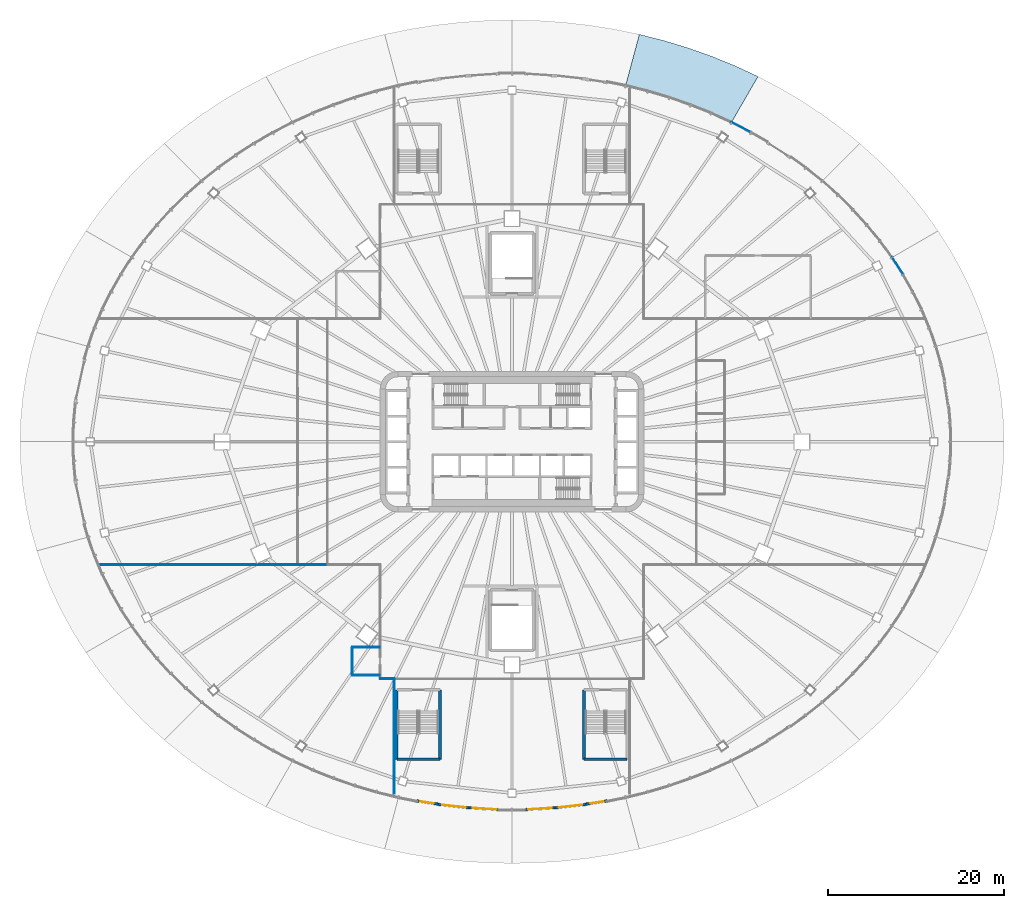
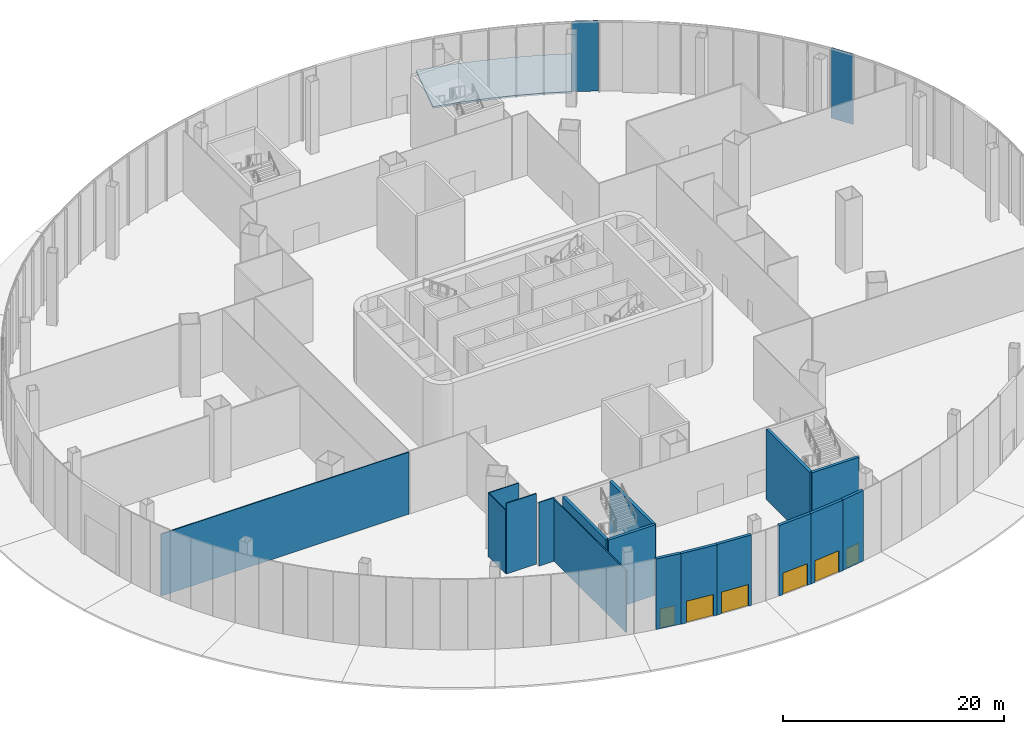
# One storey, part 15 of 36: 17 walls, 6 doors, 2 plates, 1 slab, 6 openings, 2 elements without a shape of their own.
"""IFC4 building model written with IfcOpenShell, lengths in metres."""

import ifcopenshell
import ifcopenshell.guid

model = None  # the IFC model being written
_history = None  # IfcOwnerHistory: only IFC2X3 demands one
_inside = {}  # id of a spatial element -> (the spatial element, [elements in it])
_under = {}  # id of a project, library or spatial element -> (it, [spatial elements below it])
_declared = {}  # id of a project -> (the project, [libraries it declares])
_typed = {}  # id of a type object -> (the type object, [elements of that type])
_made_of = {}  # id of a material, layer set ... -> (it, [elements and type objects made of it])


def new_model(schema):
    """Start an empty IFC model of exactly this schema.

    Asked for "IFC4X3", IfcOpenShell would pick the latest addendum, in which some entities
    have other attributes; the version numbers below select the first issue.
    IFC2X3 requires an IfcOwnerHistory on every rooted entity: one is made here for all.
    """
    global model, _history
    if schema == "IFC4X3":
        model = ifcopenshell.file(schema_version=(4, 3, 0, 0))
    else:
        model = ifcopenshell.file(schema=schema)
    _inside.clear()
    _under.clear()
    _declared.clear()
    _typed.clear()
    _made_of.clear()
    _history = None
    if model.schema == "IFC2X3":
        org = make("IfcOrganization", Name="unknown")
        user = make(
            "IfcPersonAndOrganization",
            ThePerson=make("IfcPerson", FamilyName="unknown"),
            TheOrganization=org,
        )
        app = make(
            "IfcApplication",
            ApplicationDeveloper=org,
            Version="unknown",
            ApplicationFullName="unknown",
            ApplicationIdentifier="unknown",
        )
        _history = make(
            "IfcOwnerHistory",
            OwningUser=user,
            OwningApplication=app,
            ChangeAction="ADDED",
            CreationDate=0,
        )
    return model


def make(cls, **values):
    """One entity of the class cls with the attributes given. An attribute that is None is left unset."""
    return model.create_entity(
        cls, **{name: value for name, value in values.items() if value is not None}
    )


def rooted(cls, **values):
    """An entity with a GlobalId (a new one), such as an element, a storey or a relation."""
    return make(cls, GlobalId=ifcopenshell.guid.new(), OwnerHistory=_history, **values)


def si_unit(unit_type, name, prefix=None):
    """IfcSIUnit, for example si_unit("LENGTHUNIT", "METRE", prefix="MILLI")."""
    return make("IfcSIUnit", UnitType=unit_type, Prefix=prefix, Name=name)


def assignment(units):
    """IfcUnitAssignment: the units of a project."""
    return None if units is None else make("IfcUnitAssignment", Units=units)


def point(xyz):
    """IfcCartesianPoint."""
    return None if xyz is None else make("IfcCartesianPoint", Coordinates=xyz)


def direction(xyz):
    """IfcDirection."""
    return None if xyz is None else make("IfcDirection", DirectionRatios=xyz)


def frame(location, z_axis=None, x_axis=None):
    """IfcAxis2Placement3D, a coordinate frame: its origin and axes. An axis left out is left unset."""
    return make(
        "IfcAxis2Placement3D",
        Location=point(location),
        Axis=direction(z_axis),
        RefDirection=direction(x_axis),
    )


def frame_2d(location, x_axis=None):
    """IfcAxis2Placement2D, a coordinate frame in the plane: its origin and x axis."""
    return make(
        "IfcAxis2Placement2D", Location=point(location), RefDirection=direction(x_axis)
    )


def origin():
    """The frame at (0, 0, 0) with its axes left unset."""
    return frame((0.0, 0.0, 0.0))


def place(relative_to, where):
    """IfcLocalPlacement: puts the frame where relative to a parent placement (None: the world)."""
    return make(
        "IfcLocalPlacement", PlacementRelTo=relative_to, RelativePlacement=where
    )


def context(
    kind, dimensions, precision=None, world=None, true_north=None, identifier=None
):
    """IfcGeometricRepresentationContext, for example the 3D "Model" context."""
    return make(
        "IfcGeometricRepresentationContext",
        ContextIdentifier=identifier,
        ContextType=kind,
        CoordinateSpaceDimension=dimensions,
        Precision=precision,
        WorldCoordinateSystem=world,
        TrueNorth=true_north,
    )


def subcontext(parent, identifier, kind, view, scale=None):
    """IfcGeometricRepresentationSubContext, for example "Body" below "Model"."""
    return make(
        "IfcGeometricRepresentationSubContext",
        ContextIdentifier=identifier,
        ContextType=kind,
        ParentContext=parent,
        TargetScale=scale,
        TargetView=view,
    )


def project(units=None, contexts=None):
    """IfcProject with its units and contexts."""
    return rooted(
        "IfcProject",
        Name="project",
        RepresentationContexts=contexts,
        UnitsInContext=assignment(units),
    )


def spatial(cls, under=None, at=None, **own):
    """A site, building, storey or space (cls), placed at a placement, below another one or the project."""
    s = rooted(cls, ObjectPlacement=at, **own)
    if under is not None:
        _under.setdefault(under.id(), (under, []))[1].append(s)
    return s


def polyline(points):
    """IfcPolyline through the points."""
    return make("IfcPolyline", Points=[point(p) for p in points])


def profile(cls, at=None, kind="AREA", **sizes):
    """A parametric profile (cls). Its sizes go by their IFC names, for example OverallWidth=200.0."""
    return make(cls, ProfileType=kind, Position=at, **sizes)


def rectangle(**sizes):
    """IfcRectangleProfileDef."""
    return profile("IfcRectangleProfileDef", **sizes)


def outline(outer, holes=None, kind="AREA"):
    """IfcArbitraryClosedProfileDef: a profile drawn as a closed curve; with holes, ...WithVoids."""
    if holes is None:
        return make("IfcArbitraryClosedProfileDef", ProfileType=kind, OuterCurve=outer)
    return make(
        "IfcArbitraryProfileDefWithVoids",
        ProfileType=kind,
        OuterCurve=outer,
        InnerCurves=holes,
    )


def extrude(swept, where, along, depth):
    """IfcExtrudedAreaSolid: the profile swept, set in the frame where, extruded along a direction by depth."""
    return make(
        "IfcExtrudedAreaSolid",
        SweptArea=swept,
        Position=where,
        ExtrudedDirection=direction(along),
        Depth=depth,
    )


def shape(context_of_items, identifier, shape_type, items):
    """IfcShapeRepresentation: the items that make up one representation, for example the "Body"."""
    return make(
        "IfcShapeRepresentation",
        ContextOfItems=context_of_items,
        RepresentationIdentifier=identifier,
        RepresentationType=shape_type,
        Items=items,
    )


def material(Name=None, Category=None):
    """IfcMaterial."""
    return make("IfcMaterial", Name=Name, Category=Category)


def layer(
    of_material, thickness, ventilated=None, Name=None, Category=None, Priority=None
):
    """IfcMaterialLayer: one layer of a wall or slab, of a material (None: an air gap)."""
    return make(
        "IfcMaterialLayer",
        Material=of_material,
        LayerThickness=thickness,
        IsVentilated=ventilated,
        Name=Name,
        Category=Category,
        Priority=Priority,
    )


def layer_set(layers, Name=None):
    """IfcMaterialLayerSet."""
    return make("IfcMaterialLayerSet", MaterialLayers=layers, LayerSetName=Name)


def made_of(thing, what):
    """Note that an element or type object is made of a material, layer set ...; save() writes the relation."""
    if what is not None:
        _made_of.setdefault(what.id(), (what, []))[1].append(thing)
    return thing


def type_object(cls, material=None, **own):
    """A type object (cls), such as IfcWallType, which elements share."""
    return made_of(rooted(cls, **own), material)


def element(
    cls,
    number,
    at=None,
    inside=None,
    cuts=None,
    type_object=None,
    material=None,
    context=None,
    identifier="Body",
    shape_type=None,
    held_by="IfcProductDefinitionShape",
    body=None,
    shapes=None,
    **own,
):
    """One element of the class cls, such as IfcWall. Its Tag is "e" and its number.

    at: its placement. inside: the storey or other place that contains it. cuts: it is an
    opening in that element (IfcRelVoidsElement). A single representation is given by context,
    identifier, shape_type and body (its items); several are given by shapes. held_by: the class
    of the entity that holds the representations. save() writes the other relations.
    """
    e = rooted(cls, Tag="e%d" % number, ObjectPlacement=at, **own)
    if body is not None:
        shapes = [shape(context, identifier, shape_type, body)]
    if shapes is not None:
        e.Representation = make(held_by, Representations=shapes)
    if inside is not None:
        _inside.setdefault(inside.id(), (inside, []))[1].append(e)
    if cuts is not None:
        rooted(
            "IfcRelVoidsElement", RelatingBuildingElement=cuts, RelatedOpeningElement=e
        )
    if type_object is not None:
        _typed.setdefault(type_object.id(), (type_object, []))[1].append(e)
    return made_of(e, material)


def fill(opening, filler):
    """IfcRelFillsElement: the door or window that sits in an opening."""
    return rooted(
        "IfcRelFillsElement",
        RelatingOpeningElement=opening,
        RelatedBuildingElement=filler,
    )


def aggregate(whole, parts):
    """IfcRelAggregates: a whole, such as a stair, and the parts it consists of."""
    return rooted("IfcRelAggregates", RelatingObject=whole, RelatedObjects=parts)


def save(model, path):
    """Write the relations noted so far, then the file.

    IfcRelAggregates (storeys below a building ...), IfcRelContainedInSpatialStructure (elements
    in a storey), IfcRelDefinesByType, IfcRelAssociatesMaterial and IfcRelDeclares: one each for
    every whole, place, type object, material and project.
    """
    for whole, parts in _under.values():
        aggregate(whole, parts)
    for where, things in _inside.values():
        rooted(
            "IfcRelContainedInSpatialStructure",
            RelatedElements=things,
            RelatingStructure=where,
        )
    for kind, things in _typed.values():
        rooted("IfcRelDefinesByType", RelatedObjects=things, RelatingType=kind)
    for what, things in _made_of.values():
        rooted("IfcRelAssociatesMaterial", RelatedObjects=things, RelatingMaterial=what)
    for by, libraries in _declared.values():
        rooted("IfcRelDeclares", RelatingContext=by, RelatedDefinitions=libraries)
    model.write(path)


model = new_model("IFC4")

# Units and contexts
model_context = context("Model", 3, precision=1e-05, world=origin(), true_north=direction((0.0, 1.0)))
body_context = subcontext(model_context, "Body", "Model", "MODEL_VIEW")
ifc_project = project(units=[si_unit("LENGTHUNIT", "METRE"), si_unit("AREAUNIT", "SQUARE_METRE"), si_unit("VOLUMEUNIT", "CUBIC_METRE"), si_unit("PLANEANGLEUNIT", "RADIAN"), si_unit("MASSUNIT", "GRAM", prefix="KILO")], contexts=[model_context])

# Site, building, storey
site_placement = place(None, origin())
site = spatial("IfcSite", under=ifc_project, at=site_placement, CompositionType="ELEMENT")
building_placement = place(site_placement, origin())
building = spatial("IfcBuilding", under=site, at=building_placement, Name="Sahrelin Media Tower", CompositionType="ELEMENT")
storey_placement = place(building_placement, origin())
storey = spatial("IfcBuildingStorey", under=building, at=storey_placement, Name="L00", CompositionType="ELEMENT", Elevation=0.0)

# Curtain wall, plate
ifc_material_1 = material(Name="Champagne anodised aluminium 6063-T6", Category="aluminium")
ifc_layer_1 = layer(ifc_material_1, 0.14990234375)
ifc_layer_set_1 = layer_set([ifc_layer_1], Name="Concourse curtain wall")
curtain_wall_type = type_object("IfcCurtainWallType", Name="Concourse curtain wall", PredefinedType="NOTDEFINED", material=ifc_layer_set_1)
curtain_wall_1_placement = place(storey_placement, frame((48.29638671875, 10.870361328125, 0.0), z_axis=(0.0, 0.0, 1.0), x_axis=(1.0, 0.0, 0.0)))
curtain_wall_1 = element("IfcCurtainWall", 1, at=curtain_wall_1_placement, inside=storey, type_object=curtain_wall_type, Name="L00:CW:L00-P01", PredefinedType="NOTDEFINED")
ifc_material_2 = material(Name="Clear low-iron glazing", Category="glass")
ifc_layer_2 = layer(ifc_material_2, 0.06005859375)
ifc_layer_set_2 = layer_set([ifc_layer_2], Name="Glazing panel 60 mm CW4")
plate_type = type_object("IfcPlateType", Name="Glazing panel 60 mm CW4", PredefinedType="CURTAIN_PANEL", material=ifc_layer_set_2)
plate_1_placement = place(storey_placement, frame((44.534423828125, 19.12890625, 0.0), z_axis=(0.839876936487, 0.542776870875, 0.0), x_axis=(-0.542776870875, 0.839876936487, 0.0)))
plate_1 = element("IfcPlate", 2, at=plate_1_placement, type_object=plate_type, Name="L00:CWP5a:L00-P01", PredefinedType="CURTAIN_PANEL", context=body_context, shape_type="SweptSolid", body=[
    extrude(outline(polyline([(0.0, 0.0), (2.240966796875, 0.0), (2.240966796875, 7.800048828125), (0.0, 7.800048828125), (0.0, 0.0)])), origin(), (0.0, 0.0, -1.0), 0.06005859375),
])
aggregate(curtain_wall_1, [plate_1])

curtain_wall_2_placement = place(storey_placement, frame((29.07568359375, 34.159912109375, 0.0), z_axis=(0.0, 0.0, 1.0), x_axis=(1.0, 0.0, 0.0)))
curtain_wall_2 = element("IfcCurtainWall", 3, at=curtain_wall_2_placement, inside=storey, type_object=curtain_wall_type, Name="L00:CW2:L00-P03", PredefinedType="NOTDEFINED")
plate_2_placement = place(storey_placement, frame((27.187744140625, 35.269287109375, 0.0), z_axis=(0.457744209819, 0.889083932133, 0.0), x_axis=(-0.889083932133, 0.457744209819, 0.0)))
plate_2 = element("IfcPlate", 4, at=plate_2_placement, type_object=plate_type, Name="L00:CWP5a:L00-P03", PredefinedType="CURTAIN_PANEL", context=body_context, shape_type="SweptSolid", body=[
    extrude(outline(polyline([(0.0, 0.0), (2.4501953125, 0.0), (2.4501953125, 7.800048828125), (0.0, 7.800048828125), (0.0, 0.0)])), origin(), (0.0, 0.0, -1.0), 0.06005859375),
])
aggregate(curtain_wall_2, [plate_2])

# Slab
ifc_material_3 = material(Name="Concrete C32/40", Category="concrete")
ifc_layer_3 = layer(ifc_material_3, 0.199951171875)
ifc_layer_set_3 = layer_set([ifc_layer_3], Name="Plaza paving slab")
slab_type = type_object("IfcSlabType", Name="Plaza paving slab", PredefinedType="USERDEFINED", material=ifc_layer_set_3)
slab_placement = place(storey_placement, frame((0.0, 0.0, -0.199951171875)))
element("IfcSlab", 5, at=slab_placement, inside=storey, type_object=slab_type, Name="Plaza PAVING 5", ObjectType="PAVING", PredefinedType="USERDEFINED", context=body_context, shape_type="SweptSolid", body=[
    extrude(outline(polyline([(25.0, 36.373046875), (22.699462890625, 37.42236328125), (20.3369140625, 38.368896484375), (17.91845703125, 39.21044921875), (15.45068359375, 39.9443359375), (12.94091796875, 40.56884765625), (14.493896484375, 46.364501953125), (17.304931640625, 45.650634765625), (20.068603515625, 44.81201171875), (22.777099609375, 43.85009765625), (25.42333984375, 42.768310546875), (28.0, 41.5693359375), (25.0, 36.373046875)])), origin(), (0.0, 0.0, 1.0), 0.199951171875),
])

# Wall, opening, door
ifc_material_4 = material(Name="Concrete C40/50", Category="concrete")
ifc_layer_4 = layer(ifc_material_4, 0.300048828125)
ifc_layer_set_4 = layer_set([ifc_layer_4], Name="Entrance pier wall")
wall_type_1 = type_object("IfcWallType", Name="Entrance pier wall", PredefinedType="SOLIDWALL", material=ifc_layer_set_4)
wall_1_placement = place(storey_placement, frame((-8.43359375, -41.2783203125, 0.0), z_axis=(0.0, 0.0, 1.0), x_axis=(0.993937913469, -0.109942822269, 0.0)))
wall_1 = element("IfcWall", 6, at=wall_1_placement, inside=storey, type_object=wall_type_1, Name="Entrance pier wall E5", PredefinedType="SOLIDWALL", context=body_context, shape_type="SweptSolid", body=[
    extrude(rectangle(XDim=3.56396484375, YDim=0.300048828125, at=frame_2d((1.781982421875, 0.0))), origin(), (0.0, 0.0, 1.0), 7.800048828125),
])
opening_1_placement = place(wall_1_placement, frame((0.511474609375, 0.0, 0.0)))
opening_1 = element("IfcOpeningElement", 7, at=opening_1_placement, cuts=wall_1, Name="Opening L00-D65", PredefinedType="OPENING", context=body_context, shape_type="SweptSolid", body=[
    extrude(rectangle(XDim=2.699951171875, YDim=2.39990234375, at=frame_2d((1.35009765625, 1.199951171875))), frame((0.0, 0.14990234375, 0.0), z_axis=(0.0, -1.0, 0.0), x_axis=(1.0, 0.0, 0.0)), (0.0, 0.0, 1.0), 0.300048828125),
])
door_type_1 = type_object("IfcDoorType", Name="Entrance door, automatic double 2700x2400", OperationType="DOUBLE_DOOR_SLIDING", PredefinedType="DOOR", material=ifc_material_1)
door_1_placement = place(opening_1_placement, origin())
door_1 = element("IfcDoor", 8, at=door_1_placement, inside=storey, type_object=door_type_1, Name="L00:DOOR:E5", OperationType="DOUBLE_DOOR_SLIDING", OverallHeight=2.39990234375, OverallWidth=2.699951171875, PredefinedType="DOOR", context=body_context, shape_type="SweptSolid", body=[
    extrude(rectangle(XDim=2.699951171875, YDim=2.39990234375, at=frame_2d((1.35009765625, 1.199951171875))), frame((0.0, 0.02490234375, 0.0), z_axis=(0.0, -1.0, 0.0), x_axis=(1.0, 0.0, 0.0)), (0.0, 0.0, 1.0), 0.050048828125),
])
fill(opening_1, door_1)

wall_2_placement = place(storey_placement, frame((-4.889404296875, -41.652099609375, 0.0), z_axis=(0.0, 0.0, 1.0), x_axis=(0.997821919581, -0.065965269678, 0.0)))
wall_2 = element("IfcWall", 9, at=wall_2_placement, inside=storey, type_object=wall_type_1, Name="Entrance pier wall E6", PredefinedType="SOLIDWALL", context=body_context, shape_type="SweptSolid", body=[
    extrude(rectangle(XDim=3.453125, YDim=0.300048828125, at=frame_2d((1.7265625, 0.0))), origin(), (0.0, 0.0, 1.0), 7.800048828125),
])
opening_2_placement = place(wall_2_placement, frame((0.447021484375, 0.0, 0.0)))
opening_2 = element("IfcOpeningElement", 10, at=opening_2_placement, cuts=wall_2, Name="Opening L00-D66", PredefinedType="OPENING", context=body_context, shape_type="SweptSolid", body=[
    extrude(rectangle(XDim=2.699951171875, YDim=2.39990234375, at=frame_2d((1.35009765625, 1.199951171875))), frame((0.0, 0.14990234375, 0.0), z_axis=(0.0, -1.0, 0.0), x_axis=(1.0, 0.0, 0.0)), (0.0, 0.0, 1.0), 0.300048828125),
])
door_2_placement = place(opening_2_placement, origin())
door_2 = element("IfcDoor", 11, at=door_2_placement, inside=storey, type_object=door_type_1, Name="L00:DOOR:E6", OperationType="DOUBLE_DOOR_SLIDING", OverallHeight=2.39990234375, OverallWidth=2.699951171875, PredefinedType="DOOR", context=body_context, shape_type="SweptSolid", body=[
    extrude(rectangle(XDim=2.699951171875, YDim=2.39990234375, at=frame_2d((1.35009765625, 1.199951171875))), frame((0.0, 0.02490234375, 0.0), z_axis=(0.0, -1.0, 0.0), x_axis=(1.0, 0.0, 0.0)), (0.0, 0.0, 1.0), 0.050048828125),
])
fill(opening_2, door_2)

wall_3_placement = place(storey_placement, frame((1.44384765625, -41.8798828125, 0.0), z_axis=(0.0, 0.0, 1.0), x_axis=(0.997821919581, 0.065965269678, 0.0)))
wall_3 = element("IfcWall", 12, at=wall_3_placement, inside=storey, type_object=wall_type_1, Name="Entrance pier wall E7", PredefinedType="SOLIDWALL", context=body_context, shape_type="SweptSolid", body=[
    extrude(rectangle(XDim=3.453125, YDim=0.300048828125, at=frame_2d((1.7265625, 0.0))), origin(), (0.0, 0.0, 1.0), 7.800048828125),
])
opening_3_placement = place(wall_3_placement, frame((0.39990234375, 0.0, 0.0)))
opening_3 = element("IfcOpeningElement", 13, at=opening_3_placement, cuts=wall_3, Name="Opening L00-D67", PredefinedType="OPENING", context=body_context, shape_type="SweptSolid", body=[
    extrude(rectangle(XDim=2.699951171875, YDim=2.39990234375, at=frame_2d((1.35009765625, 1.199951171875))), frame((0.0, 0.14990234375, 0.0), z_axis=(0.0, -1.0, 0.0), x_axis=(1.0, 0.0, 0.0)), (0.0, 0.0, 1.0), 0.300048828125),
])
door_3_placement = place(opening_3_placement, origin())
door_3 = element("IfcDoor", 14, at=door_3_placement, inside=storey, type_object=door_type_1, Name="L00:DOOR:E7", OperationType="DOUBLE_DOOR_SLIDING", OverallHeight=2.39990234375, OverallWidth=2.699951171875, PredefinedType="DOOR", context=body_context, shape_type="SweptSolid", body=[
    extrude(rectangle(XDim=2.699951171875, YDim=2.39990234375, at=frame_2d((1.35009765625, 1.199951171875))), frame((0.0, 0.02490234375, 0.0), z_axis=(0.0, -1.0, 0.0), x_axis=(1.0, 0.0, 0.0)), (0.0, 0.0, 1.0), 0.050048828125),
])
fill(opening_3, door_3)

wall_4_placement = place(storey_placement, frame((4.89111328125, -41.670166015625, 0.0), z_axis=(0.0, 0.0, 1.0), x_axis=(0.993937913469, 0.109942822269, 0.0)))
wall_4 = element("IfcWall", 15, at=wall_4_placement, inside=storey, type_object=wall_type_1, Name="Entrance pier wall E8", PredefinedType="SOLIDWALL", context=body_context, shape_type="SweptSolid", body=[
    extrude(rectangle(XDim=3.56396484375, YDim=0.300048828125, at=frame_2d((1.781982421875, 0.0))), origin(), (0.0, 0.0, 1.0), 7.800048828125),
])
opening_4_placement = place(wall_4_placement, frame((0.447265625, 0.0, 0.0)))
opening_4 = element("IfcOpeningElement", 16, at=opening_4_placement, cuts=wall_4, Name="Opening L00-D68", PredefinedType="OPENING", context=body_context, shape_type="SweptSolid", body=[
    extrude(rectangle(XDim=2.699951171875, YDim=2.39990234375, at=frame_2d((1.35009765625, 1.199951171875))), frame((0.0, 0.14990234375, 0.0), z_axis=(0.0, -1.0, 0.0), x_axis=(1.0, 0.0, 0.0)), (0.0, 0.0, 1.0), 0.300048828125),
])
door_4_placement = place(opening_4_placement, origin())
door_4 = element("IfcDoor", 17, at=door_4_placement, inside=storey, type_object=door_type_1, Name="L00:DOOR:E8", OperationType="DOUBLE_DOOR_SLIDING", OverallHeight=2.39990234375, OverallWidth=2.699951171875, PredefinedType="DOOR", context=body_context, shape_type="SweptSolid", body=[
    extrude(rectangle(XDim=2.699951171875, YDim=2.39990234375, at=frame_2d((1.35009765625, 1.199951171875))), frame((0.0, 0.02490234375, 0.0), z_axis=(0.0, -1.0, 0.0), x_axis=(1.0, 0.0, 0.0)), (0.0, 0.0, 1.0), 0.050048828125),
])
fill(opening_4, door_4)

wall_5_placement = place(storey_placement, frame((-8.4296875, -41.248046875, 0.0), z_axis=(0.0, 0.0, 1.0), x_axis=(-0.988096306645, 0.153836565205, 0.0)))
wall_5 = element("IfcWall", 18, at=wall_5_placement, inside=storey, type_object=wall_type_1, Name="Entrance pier wall E11", PredefinedType="SOLIDWALL", context=body_context, shape_type="SweptSolid", body=[
    extrude(rectangle(XDim=2.412353515625, YDim=0.300048828125, at=frame_2d((1.2060546875, 0.0))), origin(), (0.0, 0.0, 1.0), 7.800048828125),
])
opening_5_placement = place(wall_5_placement, frame((0.51220703125, 0.0, 0.0)))
opening_5 = element("IfcOpeningElement", 19, at=opening_5_placement, cuts=wall_5, Name="Opening L00-D71", PredefinedType="OPENING", context=body_context, shape_type="SweptSolid", body=[
    extrude(rectangle(XDim=1.5, YDim=2.10009765625, at=frame_2d((0.75, 1.050048828125))), frame((0.0, 0.14990234375, 0.0), z_axis=(0.0, -1.0, 0.0), x_axis=(1.0, 0.0, 0.0)), (0.0, 0.0, 1.0), 0.300048828125),
])
door_type_2 = type_object("IfcDoorType", Name="Stair discharge door 1500x2100", OperationType="SINGLE_SWING_RIGHT", PredefinedType="DOOR", material=ifc_material_1)
door_5_placement = place(opening_5_placement, origin())
door_5 = element("IfcDoor", 20, at=door_5_placement, inside=storey, type_object=door_type_2, Name="L00:DOOR:E11", OperationType="SINGLE_SWING_RIGHT", OverallHeight=2.10009765625, OverallWidth=1.5, PredefinedType="DOOR", context=body_context, shape_type="SweptSolid", body=[
    extrude(rectangle(XDim=1.5, YDim=2.10009765625, at=frame_2d((0.75, 1.050048828125))), frame((0.0, 0.02490234375, 0.0), z_axis=(0.0, -1.0, 0.0), x_axis=(1.0, 0.0, 0.0)), (0.0, 0.0, 1.0), 0.050048828125),
])
fill(opening_5, door_5)

wall_6_placement = place(storey_placement, frame((10.813232421875, -40.876953125, 0.0), z_axis=(0.0, 0.0, 1.0), x_axis=(-0.988096306645, -0.153836565205, 0.0)))
wall_6 = element("IfcWall", 21, at=wall_6_placement, inside=storey, type_object=wall_type_1, Name="Entrance pier wall E12", PredefinedType="SOLIDWALL", context=body_context, shape_type="SweptSolid", body=[
    extrude(rectangle(XDim=2.412353515625, YDim=0.300048828125, at=frame_2d((1.2060546875, 0.0))), origin(), (0.0, 0.0, 1.0), 7.800048828125),
])
opening_6_placement = place(wall_6_placement, frame((0.39990234375, 0.0, 0.0)))
opening_6 = element("IfcOpeningElement", 22, at=opening_6_placement, cuts=wall_6, Name="Opening L00-D72", PredefinedType="OPENING", context=body_context, shape_type="SweptSolid", body=[
    extrude(rectangle(XDim=1.5, YDim=2.10009765625, at=frame_2d((0.75, 1.050048828125))), frame((0.0, 0.14990234375, 0.0), z_axis=(0.0, -1.0, 0.0), x_axis=(1.0, 0.0, 0.0)), (0.0, 0.0, 1.0), 0.300048828125),
])
door_6_placement = place(opening_6_placement, origin())
door_6 = element("IfcDoor", 23, at=door_6_placement, inside=storey, type_object=door_type_2, Name="L00:DOOR:E12", OperationType="SINGLE_SWING_RIGHT", OverallHeight=2.10009765625, OverallWidth=1.5, PredefinedType="DOOR", context=body_context, shape_type="SweptSolid", body=[
    extrude(rectangle(XDim=1.5, YDim=2.10009765625, at=frame_2d((0.75, 1.050048828125))), frame((0.0, 0.02490234375, 0.0), z_axis=(0.0, -1.0, 0.0), x_axis=(1.0, 0.0, 0.0)), (0.0, 0.0, 1.0), 0.050048828125),
])
fill(opening_6, door_6)

# Walls
ifc_material_5 = material(Name="Gypsum board partition")
ifc_layer_5 = layer(ifc_material_5, 0.10009765625)
ifc_layer_set_5 = layer_set([ifc_layer_5], Name="Partition 100")
wall_type_2 = type_object("IfcWallType", Name="Partition 100", PredefinedType="PARTITIONING", material=ifc_layer_set_5)
wall_7_placement = place(storey_placement, frame((-15.0, -27.0, 0.0), z_axis=(0.0, 0.0, 1.0), x_axis=(1.0, 0.0, 0.0)))
element("IfcWall", 24, at=wall_7_placement, inside=storey, type_object=wall_type_2, Name="Wall", PredefinedType="PARTITIONING", context=body_context, shape_type="SweptSolid", body=[
    extrude(rectangle(XDim=1.60009765625, YDim=0.10009765625, at=frame_2d((0.800048828125, 0.0))), origin(), (0.0, 0.0, 1.0), 7.02587890625),
])
wall_8_placement = place(storey_placement, frame((-13.39990234375, -27.0, 0.0), z_axis=(0.0, 0.0, 1.0), x_axis=(0.0, -1.0, 0.0)))
element("IfcWall", 25, at=wall_8_placement, inside=storey, type_object=wall_type_2, Name="Wall", PredefinedType="PARTITIONING", context=body_context, shape_type="SweptSolid", body=[
    extrude(rectangle(XDim=13.093994140625, YDim=0.10009765625, at=frame_2d((6.546875, 0.0))), origin(), (0.0, 0.0, 1.0), 6.876953125),
])
wall_9_placement = place(storey_placement, frame((-21.12060546875, -14.0, 0.0), z_axis=(0.0, 0.0, 1.0), x_axis=(-1.0, 0.0, 0.0)))
element("IfcWall", 26, at=wall_9_placement, inside=storey, type_object=wall_type_2, Name="Wall", PredefinedType="PARTITIONING", context=body_context, shape_type="SweptSolid", body=[
    extrude(rectangle(XDim=25.89990234375, YDim=0.10009765625, at=frame_2d((12.949951171875, 0.0))), origin(), (0.0, 0.0, 1.0), 6.8681640625),
])
wall_10_placement = place(storey_placement, frame((-18.199951171875, -26.60009765625, 0.0), z_axis=(0.0, 0.0, 1.0), x_axis=(1.0, 0.0, 0.0)))
element("IfcWall", 27, at=wall_10_placement, inside=storey, type_object=wall_type_2, Name="Wall", PredefinedType="PARTITIONING", context=body_context, shape_type="SweptSolid", body=[
    extrude(rectangle(XDim=3.14990234375, YDim=0.10009765625, at=frame_2d((1.574951171875, 0.0))), origin(), (0.0, 0.0, 1.0), 7.800048828125),
])
wall_11_placement = place(storey_placement, frame((-18.199951171875, -23.39990234375, 0.0), z_axis=(0.0, 0.0, 1.0), x_axis=(1.0, 0.0, 0.0)))
element("IfcWall", 28, at=wall_11_placement, inside=storey, type_object=wall_type_2, Name="Wall", PredefinedType="PARTITIONING", context=body_context, shape_type="SweptSolid", body=[
    extrude(rectangle(XDim=3.14990234375, YDim=0.10009765625, at=frame_2d((1.574951171875, 0.0))), origin(), (0.0, 0.0, 1.0), 7.02587890625),
])
wall_12_placement = place(storey_placement, frame((-18.199951171875, -26.550048828125, 0.0), z_axis=(0.0, 0.0, 1.0), x_axis=(0.0, 1.0, 0.0)))
element("IfcWall", 29, at=wall_12_placement, inside=storey, type_object=wall_type_2, Name="Wall", PredefinedType="PARTITIONING", context=body_context, shape_type="SweptSolid", body=[
    extrude(rectangle(XDim=3.10009765625, YDim=0.10009765625, at=frame_2d((1.550048828125, 0.0))), origin(), (0.0, 0.0, 1.0), 7.02587890625),
])
ifc_material_6 = material(Name="Concrete C60/75", Category="concrete")
ifc_layer_6 = layer(ifc_material_6, 0.300048828125)
ifc_layer_set_6 = layer_set([ifc_layer_6], Name="Stair enclosure wall 300")
wall_type_3 = type_object("IfcWallType", Name="Stair enclosure wall 300", PredefinedType="SOLIDWALL", material=ifc_layer_set_6)
wall_13_placement = place(storey_placement, frame((-8.199951171875, -36.14990234375, 0.0), z_axis=(0.0, 0.0, 1.0), x_axis=(-1.0, 0.0, 0.0)))
element("IfcWall", 30, at=wall_13_placement, inside=storey, type_object=wall_type_3, Name="Stair PS3", PredefinedType="SOLIDWALL", context=body_context, shape_type="SweptSolid", body=[
    extrude(rectangle(XDim=4.900146484375, YDim=0.300048828125, at=frame_2d((2.4501953125, 0.0))), origin(), (0.0, 0.0, 1.0), 7.800048828125),
])
for number, where, z_axis, x_axis, name in (
    (31, (-13.10009765625, -36.14990234375, 0.0), (0.0, 0.0, 1.0), (0.0, 1.0, 0.0), "Stair PS3"),
    (32, (-8.199951171875, -28.25, 0.0), (0.0, 0.0, 1.0), (0.0, -1.0, 0.0), "Stair PS3"),
):
    element("IfcWall", number, at=place(storey_placement, frame(where, z_axis=z_axis, x_axis=x_axis)), inside=storey, type_object=wall_type_3, Name=name, PredefinedType="SOLIDWALL", context=body_context, shape_type="SweptSolid", body=[
        extrude(rectangle(XDim=7.89990234375, YDim=0.300048828125, at=frame_2d((3.949951171875, 0.0))), origin(), (0.0, 0.0, 1.0), 7.800048828125),
    ])
wall_14_placement = place(storey_placement, frame((13.10009765625, -36.14990234375, 0.0), z_axis=(0.0, 0.0, 1.0), x_axis=(-1.0, 0.0, 0.0)))
element("IfcWall", 33, at=wall_14_placement, inside=storey, type_object=wall_type_3, Name="Stair PS4", PredefinedType="SOLIDWALL", context=body_context, shape_type="SweptSolid", body=[
    extrude(rectangle(XDim=4.900146484375, YDim=0.300048828125, at=frame_2d((2.4501953125, 0.0))), origin(), (0.0, 0.0, 1.0), 7.800048828125),
])
wall_15_placement = place(storey_placement, frame((8.199951171875, -36.14990234375, 0.0), z_axis=(0.0, 0.0, 1.0), x_axis=(0.0, 1.0, 0.0)))
element("IfcWall", 34, at=wall_15_placement, inside=storey, type_object=wall_type_3, Name="Stair PS4", PredefinedType="SOLIDWALL", context=body_context, shape_type="SweptSolid", body=[
    extrude(rectangle(XDim=7.89990234375, YDim=0.300048828125, at=frame_2d((3.949951171875, 0.0))), origin(), (0.0, 0.0, 1.0), 7.800048828125),
])

save(model, "model.ifc")
